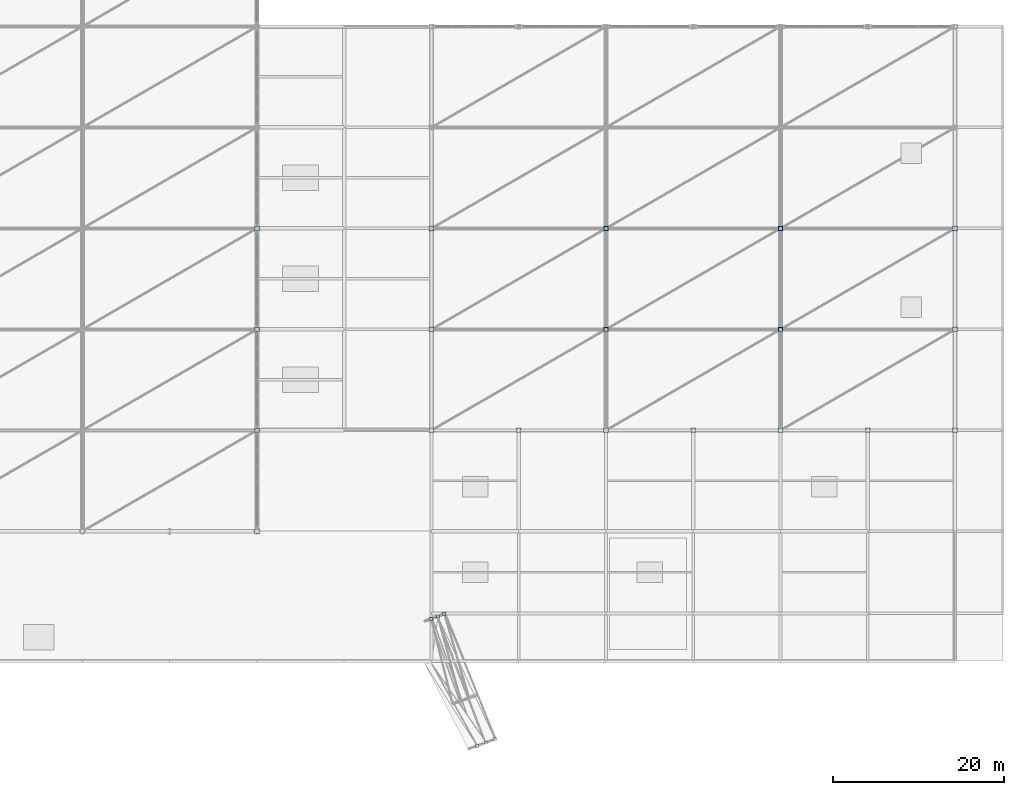
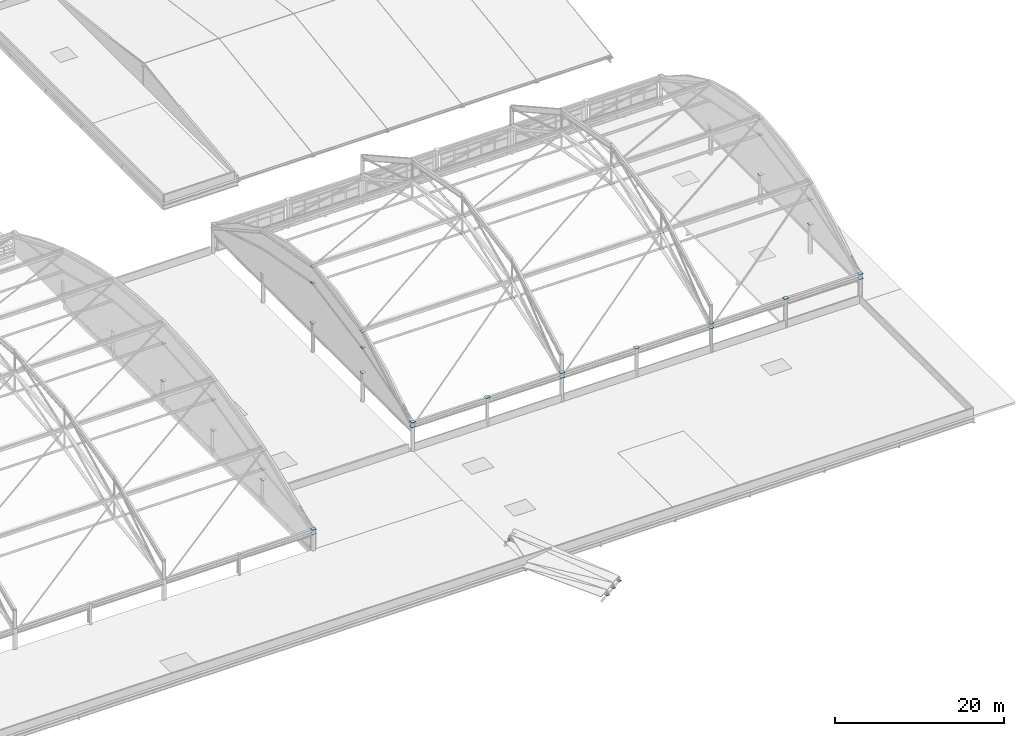
# One storey, part 119 of 135: 48 plates.
"""IFC4 building model written with IfcOpenShell, lengths in metres."""

from ifc_helpers import new_model, si_unit, direction, frame, origin, origin_2d, place, context, subcontext, project, spatial, rectangle, extrude, material, layer, layer_set, type_object, element, save


model = new_model("IFC4")

# Units and contexts
model_context = context("Model", 3, precision=1e-05, world=origin(), true_north=direction((0.0, 1.0)))
body_context = subcontext(model_context, "Body", "Model", "MODEL_VIEW")
ifc_project = project(units=[si_unit("LENGTHUNIT", "METRE"), si_unit("AREAUNIT", "SQUARE_METRE"), si_unit("VOLUMEUNIT", "CUBIC_METRE"), si_unit("PLANEANGLEUNIT", "RADIAN"), si_unit("MASSUNIT", "GRAM", prefix="KILO")], contexts=[model_context])

# Site, building, storey
site_placement = place(None, origin())
site = spatial("IfcSite", under=ifc_project, at=site_placement, CompositionType="ELEMENT")
building_placement = place(site_placement, origin())
building = spatial("IfcBuilding", under=site, at=building_placement, Name="Brelvane Convention Centre", CompositionType="ELEMENT")
storey_placement = place(building_placement, frame((0.0, 0.0, 15.0)))
storey = spatial("IfcBuildingStorey", under=building, at=storey_placement, Name="L03", CompositionType="ELEMENT", Elevation=15.0)

# Plates
ifc_material_1 = material(Name="Steel E450 (450 MPa)", Category="steel")
ifc_layer_1 = layer(ifc_material_1, 0.031982421875)
ifc_layer_set_1 = layer_set([ifc_layer_1], Name="Steel E450 (450 MPa)")
plate_type_1 = type_object("IfcPlateType", Name="Steel Node Gusset Plate ND-1", PredefinedType="SHEET", material=ifc_layer_set_1)
for number, where, z_axis, x_axis, name in (
    (1, (142.800048828125, 28.800048828125, 2.98388671875), (0.0, 0.0, 1.0), (1.0, 0.0, 0.0), "Column Head Node Plate 15-D"),
    (2, (142.800048828125, 40.60009765625, 2.98388671875), (0.0, 0.0, 1.0), (1.0, 0.0, 0.0), "Column Head Node Plate 15-E"),
    (3, (142.800048828125, 52.39990234375, 2.98388671875), (0.0, 0.0, 1.0), (1.0, 0.0, 0.0), "Column Head Node Plate 15-F"),
    (4, (142.800048828125, 64.199951171875, 2.98388671875), (0.0, 0.0, 1.0), (1.0, 0.0, 0.0), "Column Head Node Plate 15-G"),
    (5, (163.199951171875, 40.60009765625, 4.18408203125), (0.0, 0.0, 1.0), (1.0, 0.0, 0.0), "Column Head Node Plate 17-E"),
    (6, (163.199951171875, 52.39990234375, 4.18408203125), (0.0, 0.0, 1.0), (1.0, 0.0, 0.0), "Column Head Node Plate 17-F"),
    (7, (163.199951171875, 64.199951171875, 4.18408203125), (0.0, 0.0, 1.0), (1.0, 0.0, 0.0), "Column Head Node Plate 17-G"),
    (8, (173.39990234375, 40.60009765625, 4.18408203125), (0.0, 0.0, 1.0), (1.0, 0.0, 0.0), "Column Head Node Plate 18-E"),
    (9, (183.60009765625, 40.60009765625, 4.18408203125), (0.0, 0.0, 1.0), (1.0, 0.0, 0.0), "Column Head Node Plate 19-E"),
    (10, (193.800048828125, 40.60009765625, 4.18408203125), (0.0, 0.0, 1.0), (1.0, 0.0, 0.0), "Column Head Node Plate 20-E"),
    (11, (204.0, 40.60009765625, 4.18408203125), (0.0, 0.0, 1.0), (1.0, 0.0, 0.0), "Column Head Node Plate 21-E"),
    (12, (214.199951171875, 40.60009765625, 4.18408203125), (0.0, 0.0, 1.0), (1.0, 0.0, 0.0), "Column Head Node Plate 22-E"),
    (13, (224.39990234375, 40.60009765625, 4.18408203125), (0.0, 0.0, 1.0), (1.0, 0.0, 0.0), "Column Head Node Plate 23-E"),
    (14, (224.39990234375, 52.39990234375, 4.18408203125), (0.0, 0.0, 1.0), (1.0, 0.0, 0.0), "Column Head Node Plate 23-F"),
    (15, (224.39990234375, 64.199951171875, 4.18408203125), (0.0, 0.0, 1.0), (1.0, 0.0, 0.0), "Column Head Node Plate 23-G"),
    (16, (142.800048828125, 40.60009765625, 7.212890625), (0.0, 0.0, 1.0), (1.0, 0.0, 0.0), "SF_EXH Top Node Plate 8.1"),
    (17, (142.800048828125, 52.39990234375, 10.14599609375), (0.0, 0.0, 1.0), (1.0, 0.0, 0.0), "SF_EXH Top Node Plate 8.2"),
    (18, (142.800048828125, 64.199951171875, 11.1240234375), (0.0, 0.0, 1.0), (1.0, 0.0, 0.0), "SF_EXH Top Node Plate 8.3"),
    (19, (142.800048828125, 28.800048828125, 2.32421875), (0.0, 0.0, 1.0), (1.0, 0.0, 0.0), "SF_EXH Eaves Node Plate 8-S"),
    (20, (163.199951171875, 52.39990234375, 10.1240234375), (0.0, 0.0, 1.0), (1.0, 0.0, 0.0), "SF_PLEN Top Node Plate 1.1"),
    (21, (163.199951171875, 64.199951171875, 12.32421875), (0.0, 0.0, 1.0), (1.0, 0.0, 0.0), "SF_PLEN Top Node Plate 1.2"),
    (22, (163.199951171875, 40.60009765625, 3.52392578125), (0.0, 0.0, 1.0), (1.0, 0.0, 0.0), "SF_PLEN Eaves Node Plate 1-S"),
    (23, (183.60009765625, 52.39990234375, 10.1240234375), (0.0, 0.0, 1.0), (1.0, 0.0, 0.0), "SF_PLEN Top Node Plate 2.1"),
    (24, (183.60009765625, 64.199951171875, 12.32421875), (0.0, 0.0, 1.0), (1.0, 0.0, 0.0), "SF_PLEN Top Node Plate 2.2"),
    (25, (183.60009765625, 40.60009765625, 3.52392578125), (0.0, 0.0, 1.0), (1.0, 0.0, 0.0), "SF_PLEN Eaves Node Plate 2-S"),
    (26, (204.0, 52.39990234375, 10.1240234375), (0.0, 0.0, 1.0), (1.0, 0.0, 0.0), "SF_PLEN Top Node Plate 3.1"),
    (27, (204.0, 64.199951171875, 12.32421875), (0.0, 0.0, 1.0), (1.0, 0.0, 0.0), "SF_PLEN Top Node Plate 3.2"),
    (28, (204.0, 40.60009765625, 3.52392578125), (0.0, 0.0, 1.0), (1.0, 0.0, 0.0), "SF_PLEN Eaves Node Plate 3-S"),
    (29, (224.39990234375, 52.39990234375, 10.1240234375), (0.0, 0.0, 1.0), (1.0, 0.0, 0.0), "SF_PLEN Top Node Plate 4.1"),
    (30, (224.39990234375, 64.199951171875, 12.32421875), (0.0, 0.0, 1.0), (1.0, 0.0, 0.0), "SF_PLEN Top Node Plate 4.2"),
    (31, (224.39990234375, 40.60009765625, 3.52392578125), (0.0, 0.0, 1.0), (1.0, 0.0, 0.0), "SF_PLEN Eaves Node Plate 4-S"),
):
    element("IfcPlate", number, at=place(storey_placement, frame(where, z_axis=z_axis, x_axis=x_axis)), inside=storey, type_object=plate_type_1, Name=name, PredefinedType="SHEET", context=body_context, shape_type="SweptSolid", body=[
        extrude(rectangle(XDim=0.56005859375, YDim=0.56005859375, at=origin_2d()), origin(), (0.0, 0.0, 1.0), 0.031982421875),
    ])
ifc_material_2 = material(Name="Steel E450 (450 MPa)", Category="steel")
ifc_layer_2 = layer(ifc_material_2, 0.028076171875)
ifc_layer_set_2 = layer_set([ifc_layer_2], Name="Steel E450 (450 MPa)")
plate_type_2 = type_object("IfcPlateType", Name="Steel Node Gusset Plate ND-2", PredefinedType="SHEET", material=ifc_layer_set_2)
for number, where, z_axis, x_axis, name in (
    (32, (142.800048828125, 40.60009765625, 4.47509765625), (0.0, 0.0, 1.0), (1.0, 0.0, 0.0), "SF_EXH Bottom Node Plate 8.1"),
    (33, (142.800048828125, 52.39990234375, 7.408203125), (0.0, 0.0, 1.0), (1.0, 0.0, 0.0), "SF_EXH Bottom Node Plate 8.2"),
    (34, (142.800048828125, 64.199951171875, 8.3857421875), (0.0, 0.0, 1.0), (1.0, 0.0, 0.0), "SF_EXH Bottom Node Plate 8.3"),
    (35, (163.199951171875, 52.39990234375, 7.7861328125), (0.0, 0.0, 1.0), (1.0, 0.0, 0.0), "SF_PLEN Bottom Node Plate 1.1"),
    (36, (163.199951171875, 64.199951171875, 9.98583984375), (0.0, 0.0, 1.0), (1.0, 0.0, 0.0), "SF_PLEN Bottom Node Plate 1.2"),
    (37, (183.60009765625, 52.39990234375, 7.7861328125), (0.0, 0.0, 1.0), (1.0, 0.0, 0.0), "SF_PLEN Bottom Node Plate 2.1"),
    (38, (183.60009765625, 64.199951171875, 9.98583984375), (0.0, 0.0, 1.0), (1.0, 0.0, 0.0), "SF_PLEN Bottom Node Plate 2.2"),
    (39, (204.0, 52.39990234375, 7.7861328125), (0.0, 0.0, 1.0), (1.0, 0.0, 0.0), "SF_PLEN Bottom Node Plate 3.1"),
    (40, (204.0, 64.199951171875, 9.98583984375), (0.0, 0.0, 1.0), (1.0, 0.0, 0.0), "SF_PLEN Bottom Node Plate 3.2"),
    (41, (224.39990234375, 52.39990234375, 7.7861328125), (0.0, 0.0, 1.0), (1.0, 0.0, 0.0), "SF_PLEN Bottom Node Plate 4.1"),
    (42, (224.39990234375, 64.199951171875, 9.98583984375), (0.0, 0.0, 1.0), (1.0, 0.0, 0.0), "SF_PLEN Bottom Node Plate 4.2"),
):
    element("IfcPlate", number, at=place(storey_placement, frame(where, z_axis=z_axis, x_axis=x_axis)), inside=storey, type_object=plate_type_2, Name=name, PredefinedType="SHEET", context=body_context, shape_type="SweptSolid", body=[
        extrude(rectangle(XDim=0.4599609375, YDim=0.4599609375, at=origin_2d()), origin(), (0.0, 0.0, 1.0), 0.028076171875),
    ])
ifc_material_3 = material(Name="Steel E450 (450 MPa)", Category="steel")
ifc_layer_3 = layer(ifc_material_3, 0.02490234375)
ifc_layer_set_3 = layer_set([ifc_layer_3], Name="Steel E450 (450 MPa)")
plate_type_3 = type_object("IfcPlateType", Name="Steel Node Gusset Plate ND-3", PredefinedType="SHEET", material=ifc_layer_set_3)
for number, where, z_axis, x_axis, name in (
    (43, (164.70751953125, 19.147705078125, 0.507568359375), (0.0, 0.0, 1.0), (1.0, 0.0, 0.0), "Canopy Rafter Cap 00-in"),
    (44, (170.626220703125, 4.498046875, 0.507568359375), (0.0, 0.0, 1.0), (1.0, 0.0, 0.0), "Canopy Rafter Cap 00-out"),
    (45, (163.937744140625, 18.844970703125, 0.09765625), (0.0, 0.0, 1.0), (1.0, 0.0, 0.0), "Canopy Rafter Cap 01-in"),
    (46, (169.583984375, 4.088134765625, 0.09765625), (0.0, 0.0, 1.0), (1.0, 0.0, 0.0), "Canopy Rafter Cap 01-out"),
    (47, (163.16259765625, 18.556396484375, -0.31689453125), (0.0, 0.0, 1.0), (1.0, 0.0, 0.0), "Canopy Rafter Cap 02-in"),
    (48, (168.5341796875, 3.697509765625, -0.31689453125), (0.0, 0.0, 1.0), (1.0, 0.0, 0.0), "Canopy Rafter Cap 02-out"),
):
    element("IfcPlate", number, at=place(storey_placement, frame(where, z_axis=z_axis, x_axis=x_axis)), inside=storey, type_object=plate_type_3, Name=name, PredefinedType="SHEET", context=body_context, shape_type="SweptSolid", body=[
        extrude(rectangle(XDim=0.3798828125, YDim=0.3798828125, at=origin_2d()), origin(), (0.0, 0.0, 1.0), 0.02490234375),
    ])

save(model, "model.ifc")
